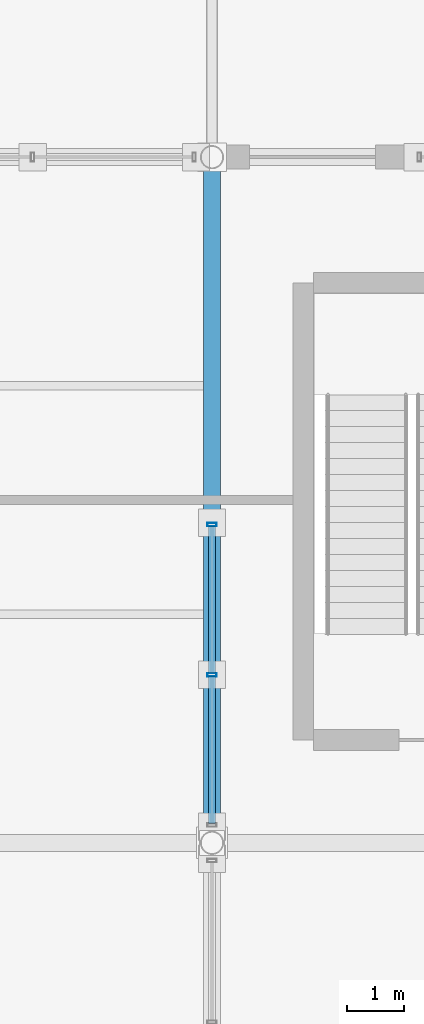
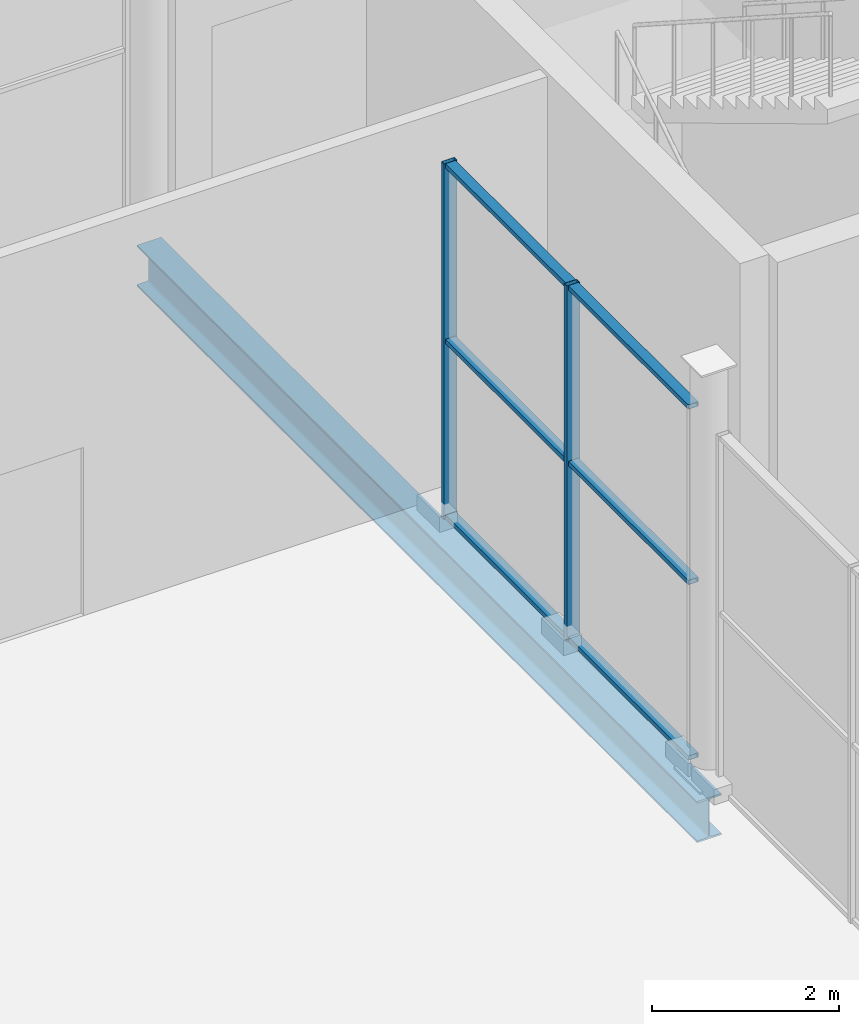
# One storey, part 119 of 196: 8 members, 1 beam, 1 element without a shape of its own.
"""IFC4 building model written with IfcOpenShell, lengths in metres."""

import ifcopenshell
import ifcopenshell.guid

model = None  # the IFC model being written
_history = None  # IfcOwnerHistory: only IFC2X3 demands one
_inside = {}  # id of a spatial element -> (the spatial element, [elements in it])
_under = {}  # id of a project, library or spatial element -> (it, [spatial elements below it])
_declared = {}  # id of a project -> (the project, [libraries it declares])
_typed = {}  # id of a type object -> (the type object, [elements of that type])
_made_of = {}  # id of a material, layer set ... -> (it, [elements and type objects made of it])


def new_model(schema):
    """Start an empty IFC model of exactly this schema.

    Asked for "IFC4X3", IfcOpenShell would pick the latest addendum, in which some entities
    have other attributes; the version numbers below select the first issue.
    IFC2X3 requires an IfcOwnerHistory on every rooted entity: one is made here for all.
    """
    global model, _history
    if schema == "IFC4X3":
        model = ifcopenshell.file(schema_version=(4, 3, 0, 0))
    else:
        model = ifcopenshell.file(schema=schema)
    _inside.clear()
    _under.clear()
    _declared.clear()
    _typed.clear()
    _made_of.clear()
    _history = None
    if model.schema == "IFC2X3":
        org = make("IfcOrganization", Name="unknown")
        user = make(
            "IfcPersonAndOrganization",
            ThePerson=make("IfcPerson", FamilyName="unknown"),
            TheOrganization=org,
        )
        app = make(
            "IfcApplication",
            ApplicationDeveloper=org,
            Version="unknown",
            ApplicationFullName="unknown",
            ApplicationIdentifier="unknown",
        )
        _history = make(
            "IfcOwnerHistory",
            OwningUser=user,
            OwningApplication=app,
            ChangeAction="ADDED",
            CreationDate=0,
        )
    return model


def make(cls, **values):
    """One entity of the class cls with the attributes given. An attribute that is None is left unset."""
    return model.create_entity(
        cls, **{name: value for name, value in values.items() if value is not None}
    )


def rooted(cls, **values):
    """An entity with a GlobalId (a new one), such as an element, a storey or a relation."""
    return make(cls, GlobalId=ifcopenshell.guid.new(), OwnerHistory=_history, **values)


def si_unit(unit_type, name, prefix=None):
    """IfcSIUnit, for example si_unit("LENGTHUNIT", "METRE", prefix="MILLI")."""
    return make("IfcSIUnit", UnitType=unit_type, Prefix=prefix, Name=name)


def assignment(units):
    """IfcUnitAssignment: the units of a project."""
    return None if units is None else make("IfcUnitAssignment", Units=units)


def point(xyz):
    """IfcCartesianPoint."""
    return None if xyz is None else make("IfcCartesianPoint", Coordinates=xyz)


def direction(xyz):
    """IfcDirection."""
    return None if xyz is None else make("IfcDirection", DirectionRatios=xyz)


def frame(location, z_axis=None, x_axis=None):
    """IfcAxis2Placement3D, a coordinate frame: its origin and axes. An axis left out is left unset."""
    return make(
        "IfcAxis2Placement3D",
        Location=point(location),
        Axis=direction(z_axis),
        RefDirection=direction(x_axis),
    )


def frame_2d(location, x_axis=None):
    """IfcAxis2Placement2D, a coordinate frame in the plane: its origin and x axis."""
    return make(
        "IfcAxis2Placement2D", Location=point(location), RefDirection=direction(x_axis)
    )


def origin():
    """The frame at (0, 0, 0) with its axes left unset."""
    return frame((0.0, 0.0, 0.0))


def origin_2d():
    """The frame at (0, 0) in the plane with its x axis left unset."""
    return frame_2d((0.0, 0.0))


def place(relative_to, where):
    """IfcLocalPlacement: puts the frame where relative to a parent placement (None: the world)."""
    return make(
        "IfcLocalPlacement", PlacementRelTo=relative_to, RelativePlacement=where
    )


def context(
    kind, dimensions, precision=None, world=None, true_north=None, identifier=None
):
    """IfcGeometricRepresentationContext, for example the 3D "Model" context."""
    return make(
        "IfcGeometricRepresentationContext",
        ContextIdentifier=identifier,
        ContextType=kind,
        CoordinateSpaceDimension=dimensions,
        Precision=precision,
        WorldCoordinateSystem=world,
        TrueNorth=true_north,
    )


def subcontext(parent, identifier, kind, view, scale=None):
    """IfcGeometricRepresentationSubContext, for example "Body" below "Model"."""
    return make(
        "IfcGeometricRepresentationSubContext",
        ContextIdentifier=identifier,
        ContextType=kind,
        ParentContext=parent,
        TargetScale=scale,
        TargetView=view,
    )


def project(units=None, contexts=None):
    """IfcProject with its units and contexts."""
    return rooted(
        "IfcProject",
        Name="project",
        RepresentationContexts=contexts,
        UnitsInContext=assignment(units),
    )


def spatial(cls, under=None, at=None, **own):
    """A site, building, storey or space (cls), placed at a placement, below another one or the project."""
    s = rooted(cls, ObjectPlacement=at, **own)
    if under is not None:
        _under.setdefault(under.id(), (under, []))[1].append(s)
    return s


def profile(cls, at=None, kind="AREA", **sizes):
    """A parametric profile (cls). Its sizes go by their IFC names, for example OverallWidth=200.0."""
    return make(cls, ProfileType=kind, Position=at, **sizes)


def hollow_rectangle(**sizes):
    """IfcRectangleHollowProfileDef."""
    return profile("IfcRectangleHollowProfileDef", **sizes)


def i_section(**sizes):
    """IfcIShapeProfileDef."""
    return profile("IfcIShapeProfileDef", **sizes)


def extrude(swept, where, along, depth):
    """IfcExtrudedAreaSolid: the profile swept, set in the frame where, extruded along a direction by depth."""
    return make(
        "IfcExtrudedAreaSolid",
        SweptArea=swept,
        Position=where,
        ExtrudedDirection=direction(along),
        Depth=depth,
    )


def shape(context_of_items, identifier, shape_type, items):
    """IfcShapeRepresentation: the items that make up one representation, for example the "Body"."""
    return make(
        "IfcShapeRepresentation",
        ContextOfItems=context_of_items,
        RepresentationIdentifier=identifier,
        RepresentationType=shape_type,
        Items=items,
    )


def material(Name=None, Category=None):
    """IfcMaterial."""
    return make("IfcMaterial", Name=Name, Category=Category)


def material_profile(
    of_material, cross_section, Name=None, Category=None, Priority=None
):
    """IfcMaterialProfile: a cross section and its material."""
    return make(
        "IfcMaterialProfile",
        Name=Name,
        Material=of_material,
        Profile=cross_section,
        Priority=Priority,
        Category=Category,
    )


def profile_set(profiles, Name=None, composite=None):
    """IfcMaterialProfileSet."""
    return make(
        "IfcMaterialProfileSet",
        Name=Name,
        MaterialProfiles=profiles,
        CompositeProfile=composite,
    )


def made_of(thing, what):
    """Note that an element or type object is made of a material, layer set ...; save() writes the relation."""
    if what is not None:
        _made_of.setdefault(what.id(), (what, []))[1].append(thing)
    return thing


def type_object(cls, material=None, **own):
    """A type object (cls), such as IfcWallType, which elements share."""
    return made_of(rooted(cls, **own), material)


def element(
    cls,
    number,
    at=None,
    inside=None,
    cuts=None,
    type_object=None,
    material=None,
    context=None,
    identifier="Body",
    shape_type=None,
    held_by="IfcProductDefinitionShape",
    body=None,
    shapes=None,
    **own,
):
    """One element of the class cls, such as IfcWall. Its Tag is "e" and its number.

    at: its placement. inside: the storey or other place that contains it. cuts: it is an
    opening in that element (IfcRelVoidsElement). A single representation is given by context,
    identifier, shape_type and body (its items); several are given by shapes. held_by: the class
    of the entity that holds the representations. save() writes the other relations.
    """
    e = rooted(cls, Tag="e%d" % number, ObjectPlacement=at, **own)
    if body is not None:
        shapes = [shape(context, identifier, shape_type, body)]
    if shapes is not None:
        e.Representation = make(held_by, Representations=shapes)
    if inside is not None:
        _inside.setdefault(inside.id(), (inside, []))[1].append(e)
    if cuts is not None:
        rooted(
            "IfcRelVoidsElement", RelatingBuildingElement=cuts, RelatedOpeningElement=e
        )
    if type_object is not None:
        _typed.setdefault(type_object.id(), (type_object, []))[1].append(e)
    return made_of(e, material)


def aggregate(whole, parts):
    """IfcRelAggregates: a whole, such as a stair, and the parts it consists of."""
    return rooted("IfcRelAggregates", RelatingObject=whole, RelatedObjects=parts)


def save(model, path):
    """Write the relations noted so far, then the file.

    IfcRelAggregates (storeys below a building ...), IfcRelContainedInSpatialStructure (elements
    in a storey), IfcRelDefinesByType, IfcRelAssociatesMaterial and IfcRelDeclares: one each for
    every whole, place, type object, material and project.
    """
    for whole, parts in _under.values():
        aggregate(whole, parts)
    for where, things in _inside.values():
        rooted(
            "IfcRelContainedInSpatialStructure",
            RelatedElements=things,
            RelatingStructure=where,
        )
    for kind, things in _typed.values():
        rooted("IfcRelDefinesByType", RelatedObjects=things, RelatingType=kind)
    for what, things in _made_of.values():
        rooted("IfcRelAssociatesMaterial", RelatedObjects=things, RelatingMaterial=what)
    for by, libraries in _declared.values():
        rooted("IfcRelDeclares", RelatingContext=by, RelatedDefinitions=libraries)
    model.write(path)


model = new_model("IFC4")

# Units and contexts
model_context = context("Model", 3, precision=1e-05, world=origin(), true_north=direction((0.0, 1.0)))
body_context = subcontext(model_context, "Body", "Model", "MODEL_VIEW")
ifc_project = project(units=[si_unit("LENGTHUNIT", "METRE"), si_unit("AREAUNIT", "SQUARE_METRE"), si_unit("VOLUMEUNIT", "CUBIC_METRE"), si_unit("PLANEANGLEUNIT", "RADIAN"), si_unit("MASSUNIT", "GRAM", prefix="KILO")], contexts=[model_context])

# Site, building, storey
site_placement = place(None, origin())
site = spatial("IfcSite", under=ifc_project, at=site_placement, CompositionType="ELEMENT")
building_placement = place(site_placement, origin())
building = spatial("IfcBuilding", under=site, at=building_placement, Name="Merenkruunu Market Hall", CompositionType="ELEMENT")
storey_placement = place(building_placement, origin())
storey = spatial("IfcBuildingStorey", under=building, at=storey_placement, Name="L00", CompositionType="ELEMENT", Elevation=0.0)

# Curtain wall, members
ifc_material_1 = material(Name="Powder-coated aluminium", Category="aluminium")
curtain_wall_type = type_object("IfcCurtainWallType", Name="Glazed Curtain Wall CW15", PredefinedType="USERDEFINED", material=ifc_material_1)
curtain_wall_placement = place(storey_placement, origin())
curtain_wall = element("IfcCurtainWall", 1, at=curtain_wall_placement, inside=storey, type_object=curtain_wall_type, Name="CW-L00-CWM01-178", ObjectType="GLAZED_FACADE", PredefinedType="USERDEFINED")
ifc_material_profile_1 = material_profile(ifc_material_1, hollow_rectangle(XDim=0.06005859375, YDim=0.159912109375, WallThickness=0.00390625, at=origin_2d()), Name="ALU 60x160x4")
ifc_profile_set_1 = profile_set([ifc_material_profile_1], Name="Powder-coated aluminium")
member_type_1 = type_object("IfcMemberType", Name="Curtain Wall Mullion CWM01", PredefinedType="MULLION", material=ifc_profile_set_1)
member_1_placement = place(storey_placement, frame((67.199951171875, 90.5400390625, 0.0), z_axis=(0.0, 0.0, 1.0), x_axis=(0.0, 1.0, 0.0)))
member_1 = element("IfcMember", 2, at=member_1_placement, type_object=member_type_1, Name="CW15 mullion 2", PredefinedType="MULLION", context=body_context, shape_type="SweptSolid", body=[
    extrude(hollow_rectangle(XDim=0.06005859375, YDim=0.159912109375, WallThickness=0.00390625, at=origin_2d()), origin(), (0.0, 0.0, 1.0), 4.64990234375),
])
member_2_placement = place(storey_placement, frame((67.199951171875, 93.169921875, 0.0), z_axis=(0.0, 0.0, 1.0), x_axis=(0.0, 1.0, 0.0)))
member_2 = element("IfcMember", 3, at=member_2_placement, type_object=member_type_1, Name="CW15 mullion 3", PredefinedType="MULLION", context=body_context, shape_type="SweptSolid", body=[
    extrude(hollow_rectangle(XDim=0.06005859375, YDim=0.159912109375, WallThickness=0.00390625, at=origin_2d()), origin(), (0.0, 0.0, 1.0), 4.64990234375),
])
ifc_material_profile_2 = material_profile(ifc_material_1, hollow_rectangle(XDim=0.06005859375, YDim=0.125, WallThickness=0.00390625, at=origin_2d()), Name="ALU 60x125x4")
ifc_profile_set_2 = profile_set([ifc_material_profile_2], Name="Powder-coated aluminium")
member_type_2 = type_object("IfcMemberType", Name="Curtain Wall Transom CWT01", PredefinedType="USERDEFINED", material=ifc_profile_set_2)
member_3_placement = place(storey_placement, frame((67.199951171875, 87.93994140625, 0.030029296875), z_axis=(0.0, 1.0, 0.0), x_axis=(0.0, 0.0, 1.0)))
member_3 = element("IfcMember", 4, at=member_3_placement, type_object=member_type_2, Name="CW15 transom 1.1", ObjectType="TRANSOM", PredefinedType="USERDEFINED", context=body_context, shape_type="SweptSolid", body=[
    extrude(hollow_rectangle(XDim=0.06005859375, YDim=0.125, WallThickness=0.00390625, at=origin_2d()), origin(), (0.0, 0.0, 1.0), 2.570068359375),
])
member_4_placement = place(storey_placement, frame((67.199951171875, 87.93994140625, 2.324951171875), z_axis=(0.0, 1.0, 0.0), x_axis=(0.0, 0.0, 1.0)))
member_4 = element("IfcMember", 5, at=member_4_placement, type_object=member_type_2, Name="CW15 transom 1.2", ObjectType="TRANSOM", PredefinedType="USERDEFINED", context=body_context, shape_type="SweptSolid", body=[
    extrude(hollow_rectangle(XDim=0.06005859375, YDim=0.125, WallThickness=0.00390625, at=origin_2d()), origin(), (0.0, 0.0, 1.0), 2.570068359375),
])
member_5_placement = place(storey_placement, frame((67.199951171875, 87.93994140625, 4.6201171875), z_axis=(0.0, 1.0, 0.0), x_axis=(0.0, 0.0, 1.0)))
member_5 = element("IfcMember", 6, at=member_5_placement, type_object=member_type_2, Name="CW15 transom 1.3", ObjectType="TRANSOM", PredefinedType="USERDEFINED", context=body_context, shape_type="SweptSolid", body=[
    extrude(hollow_rectangle(XDim=0.06005859375, YDim=0.125, WallThickness=0.00390625, at=origin_2d()), origin(), (0.0, 0.0, 1.0), 2.570068359375),
])
member_6_placement = place(storey_placement, frame((67.199951171875, 90.570068359375, 0.030029296875), z_axis=(0.0, 1.0, 0.0), x_axis=(0.0, 0.0, 1.0)))
member_6 = element("IfcMember", 7, at=member_6_placement, type_object=member_type_2, Name="CW15 transom 2.1", ObjectType="TRANSOM", PredefinedType="USERDEFINED", context=body_context, shape_type="SweptSolid", body=[
    extrude(hollow_rectangle(XDim=0.06005859375, YDim=0.125, WallThickness=0.00390625, at=origin_2d()), origin(), (0.0, 0.0, 1.0), 2.56982421875),
])
member_7_placement = place(storey_placement, frame((67.199951171875, 90.570068359375, 2.324951171875), z_axis=(0.0, 1.0, 0.0), x_axis=(0.0, 0.0, 1.0)))
member_7 = element("IfcMember", 8, at=member_7_placement, type_object=member_type_2, Name="CW15 transom 2.2", ObjectType="TRANSOM", PredefinedType="USERDEFINED", context=body_context, shape_type="SweptSolid", body=[
    extrude(hollow_rectangle(XDim=0.06005859375, YDim=0.125, WallThickness=0.00390625, at=origin_2d()), origin(), (0.0, 0.0, 1.0), 2.56982421875),
])
member_8_placement = place(storey_placement, frame((67.199951171875, 90.570068359375, 4.6201171875), z_axis=(0.0, 1.0, 0.0), x_axis=(0.0, 0.0, 1.0)))
member_8 = element("IfcMember", 9, at=member_8_placement, type_object=member_type_2, Name="CW15 transom 2.3", ObjectType="TRANSOM", PredefinedType="USERDEFINED", context=body_context, shape_type="SweptSolid", body=[
    extrude(hollow_rectangle(XDim=0.06005859375, YDim=0.125, WallThickness=0.00390625, at=origin_2d()), origin(), (0.0, 0.0, 1.0), 2.56982421875),
])
aggregate(curtain_wall, [member_1, member_2, member_3, member_4, member_5, member_6, member_7, member_8])

# Beam
ifc_material_2 = material(Name="Steel S355J2", Category="steel")
ifc_material_profile_3 = material_profile(ifc_material_2, i_section(OverallWidth=0.300048828125, OverallDepth=0.5400390625, WebThickness=0.012451171875, FlangeThickness=0.02392578125, FilletRadius=0.027099609375, at=origin_2d()), Name="HEA 550")
ifc_profile_set_3 = profile_set([ifc_material_profile_3], Name="Steel S355J2")
beam_type = type_object("IfcBeamType", Name="Primary Floor Girder B06", PredefinedType="BEAM", material=ifc_profile_set_3)
beam_placement = place(storey_placement, frame((67.199951171875, 87.60009765625, -0.570068359375), z_axis=(0.0, 1.0, 0.0), x_axis=(-1.0, 0.0, 0.0)))
element("IfcBeam", 10, at=beam_placement, inside=storey, type_object=beam_type, Name="BM-L00-B06-0201", PredefinedType="BEAM", context=body_context, shape_type="SweptSolid", body=[
    extrude(i_section(OverallWidth=0.300048828125, OverallDepth=0.5400390625, WebThickness=0.012451171875, FlangeThickness=0.02392578125, FilletRadius=0.027099609375, at=origin_2d()), origin(), (0.0, 0.0, 1.0), 12.0),
])

save(model, "model.ifc")
